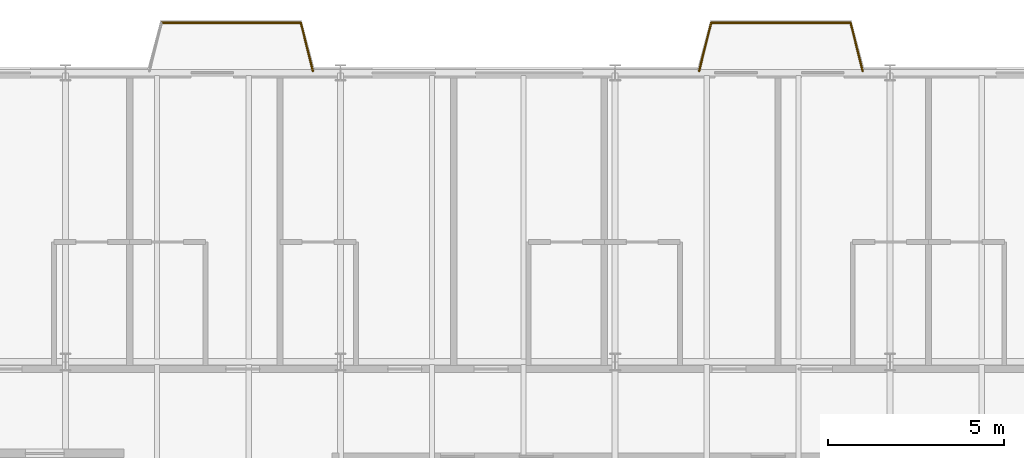
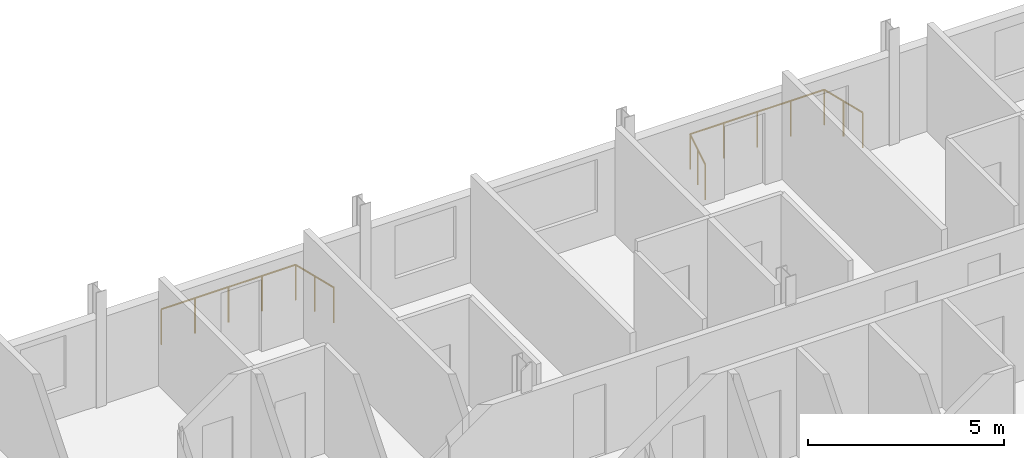
# One storey, part 34 of 34: 5 railings.
"""IFC4 building model written with IfcOpenShell, lengths in metres."""

from ifc_helpers import new_model, si_unit, direction, frame, origin, origin_2d, place, context, subcontext, project, spatial, circle, extrude, material, type_object, element, save


model = new_model("IFC4")

# Units and contexts
model_context = context("Model", 3, precision=1e-05, world=origin(), true_north=direction((0.0, 1.0)))
body_context = subcontext(model_context, "Body", "Model", "MODEL_VIEW")
ifc_project = project(units=[si_unit("LENGTHUNIT", "METRE"), si_unit("AREAUNIT", "SQUARE_METRE"), si_unit("VOLUMEUNIT", "CUBIC_METRE"), si_unit("PLANEANGLEUNIT", "RADIAN"), si_unit("MASSUNIT", "GRAM", prefix="KILO")], contexts=[model_context])

# Site, building, storey
site_placement = place(None, origin())
site = spatial("IfcSite", under=ifc_project, at=site_placement, CompositionType="ELEMENT")
building_placement = place(site_placement, origin())
building = spatial("IfcBuilding", under=site, at=building_placement, Name="Sefraquen Railside Congress Hotel", CompositionType="ELEMENT")
storey_placement = place(building_placement, frame((0.0, 0.0, 31.800048828125)))
storey = spatial("IfcBuildingStorey", under=building, at=storey_placement, Name="L07", CompositionType="ELEMENT", Elevation=31.800048828125)

# Railings
ifc_material = material(Name="Patinated wrought architectural bronze", Category="metal")
railing_type = type_object("IfcRailingType", Name="TRL-BAL-110", PredefinedType="BALUSTRADE", material=ifc_material)
railing_1_placement = place(storey_placement, frame((74.719970703125, 119.419921875, 0.0)))
element("IfcRailing", 1, at=railing_1_placement, inside=storey, type_object=railing_type, Name="Guest balcony Art Nouveau balustrade L07-04", PredefinedType="BALUSTRADE", context=body_context, shape_type="SweptSolid", body=[
    extrude(circle(Radius=0.02392578125, at=origin_2d()), frame((0.0, 0.0, 1.09619140625), z_axis=(1.0, 0.0, 0.0), x_axis=(0.0, 1.0, 0.0)), (0.0, 0.0, 1.0), 3.9599609375),
    extrude(circle(Radius=0.02099609375, at=origin_2d()), origin(), (0.0, 0.0, 1.0), 1.072021484375),
    extrude(circle(Radius=0.02099609375, at=origin_2d()), frame((0.989990234375, 0.0, 0.0)), (0.0, 0.0, 1.0), 1.072021484375),
    extrude(circle(Radius=0.02099609375, at=origin_2d()), frame((1.97998046875, 0.0, 0.0)), (0.0, 0.0, 1.0), 1.072021484375),
    extrude(circle(Radius=0.02099609375, at=origin_2d()), frame((2.969970703125, 0.0, 0.0)), (0.0, 0.0, 1.0), 1.072021484375),
    extrude(circle(Radius=0.02099609375, at=origin_2d()), frame((3.9599609375, 0.0, 0.0)), (0.0, 0.0, 1.0), 1.072021484375),
])
railing_2_placement = place(storey_placement, frame((78.679931640625, 119.419921875, 0.0)))
element("IfcRailing", 2, at=railing_2_placement, inside=storey, type_object=railing_type, Name="Guest balcony Art Nouveau balustrade L07-04", PredefinedType="BALUSTRADE", context=body_context, shape_type="SweptSolid", body=[
    extrude(circle(Radius=0.02392578125, at=origin_2d()), frame((0.0, 0.0, 1.09619140625), z_axis=(0.240948040829, -0.970538016577, 0.0), x_axis=(0.970538016577, 0.240948040829, 0.0)), (0.0, 0.0, 1.0), 1.411376953125),
    extrude(circle(Radius=0.02099609375, at=origin_2d()), origin(), (0.0, 0.0, 1.0), 1.072021484375),
    extrude(circle(Radius=0.02099609375, at=origin_2d()), frame((0.169921875, -0.68505859375, 0.0)), (0.0, 0.0, 1.0), 1.072021484375),
    extrude(circle(Radius=0.02099609375, at=origin_2d()), frame((0.340087890625, -1.369873046875, 0.0)), (0.0, 0.0, 1.0), 1.072021484375),
])
railing_3_placement = place(storey_placement, frame((89.97998046875, 118.050048828125, 0.0)))
element("IfcRailing", 3, at=railing_3_placement, inside=storey, type_object=railing_type, Name="Guest balcony Art Nouveau balustrade L07-05", PredefinedType="BALUSTRADE", context=body_context, shape_type="SweptSolid", body=[
    extrude(circle(Radius=0.02392578125, at=origin_2d()), frame((0.0, 0.0, 1.09619140625), z_axis=(0.240948040829, 0.970538016577, 0.0), x_axis=(-0.970538016577, 0.240948040829, 0.0)), (0.0, 0.0, 1.0), 1.411376953125),
    extrude(circle(Radius=0.02099609375, at=origin_2d()), origin(), (0.0, 0.0, 1.0), 1.072021484375),
    extrude(circle(Radius=0.02099609375, at=origin_2d()), frame((0.169921875, 0.68505859375, 0.0)), (0.0, 0.0, 1.0), 1.072021484375),
    extrude(circle(Radius=0.02099609375, at=origin_2d()), frame((0.340087890625, 1.369873046875, 0.0)), (0.0, 0.0, 1.0), 1.072021484375),
])
railing_4_placement = place(storey_placement, frame((90.320068359375, 119.419921875, 0.0)))
element("IfcRailing", 4, at=railing_4_placement, inside=storey, type_object=railing_type, Name="Guest balcony Art Nouveau balustrade L07-05", PredefinedType="BALUSTRADE", context=body_context, shape_type="SweptSolid", body=[
    extrude(circle(Radius=0.02392578125, at=origin_2d()), frame((0.0, 0.0, 1.09619140625), z_axis=(1.0, 0.0, 0.0), x_axis=(0.0, 1.0, 0.0)), (0.0, 0.0, 1.0), 3.9599609375),
    extrude(circle(Radius=0.02099609375, at=origin_2d()), origin(), (0.0, 0.0, 1.0), 1.072021484375),
    extrude(circle(Radius=0.02099609375, at=origin_2d()), frame((0.989990234375, 0.0, 0.0)), (0.0, 0.0, 1.0), 1.072021484375),
    extrude(circle(Radius=0.02099609375, at=origin_2d()), frame((1.97998046875, 0.0, 0.0)), (0.0, 0.0, 1.0), 1.072021484375),
    extrude(circle(Radius=0.02099609375, at=origin_2d()), frame((2.969970703125, 0.0, 0.0)), (0.0, 0.0, 1.0), 1.072021484375),
    extrude(circle(Radius=0.02099609375, at=origin_2d()), frame((3.9599609375, 0.0, 0.0)), (0.0, 0.0, 1.0), 1.072021484375),
])
railing_5_placement = place(storey_placement, frame((94.280029296875, 119.419921875, 0.0)))
element("IfcRailing", 5, at=railing_5_placement, inside=storey, type_object=railing_type, Name="Guest balcony Art Nouveau balustrade L07-05", PredefinedType="BALUSTRADE", context=body_context, shape_type="SweptSolid", body=[
    extrude(circle(Radius=0.02392578125, at=origin_2d()), frame((0.0, 0.0, 1.09619140625), z_axis=(0.240948040829, -0.970538016577, 0.0), x_axis=(0.970538016577, 0.240948040829, 0.0)), (0.0, 0.0, 1.0), 1.411376953125),
    extrude(circle(Radius=0.02099609375, at=origin_2d()), origin(), (0.0, 0.0, 1.0), 1.072021484375),
    extrude(circle(Radius=0.02099609375, at=origin_2d()), frame((0.169921875, -0.68505859375, 0.0)), (0.0, 0.0, 1.0), 1.072021484375),
    extrude(circle(Radius=0.02099609375, at=origin_2d()), frame((0.340087890625, -1.369873046875, 0.0)), (0.0, 0.0, 1.0), 1.072021484375),
])

save(model, "model.ifc")
